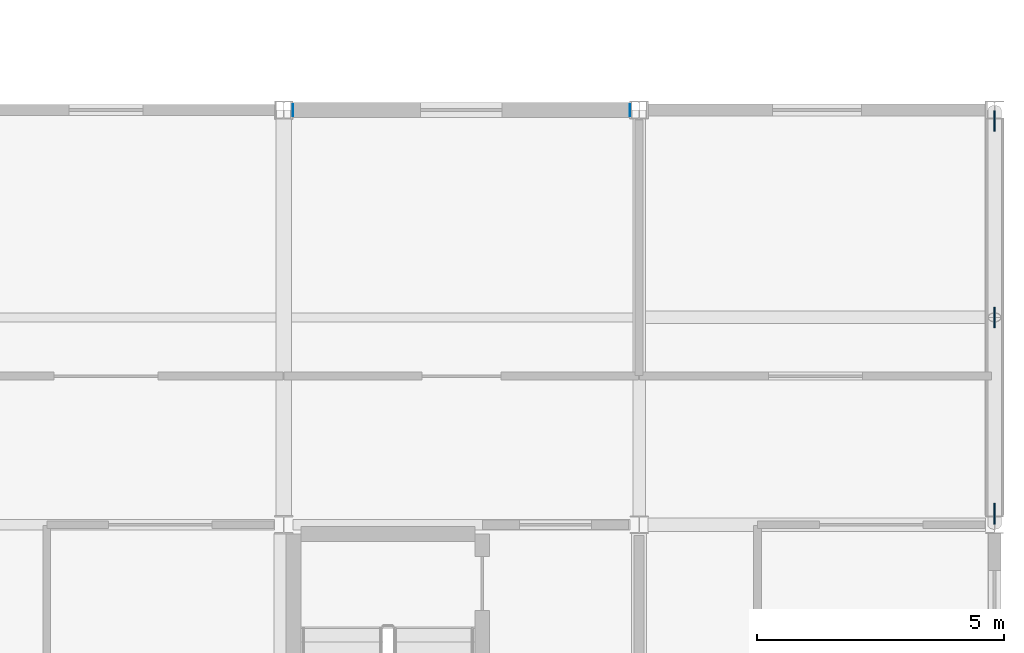
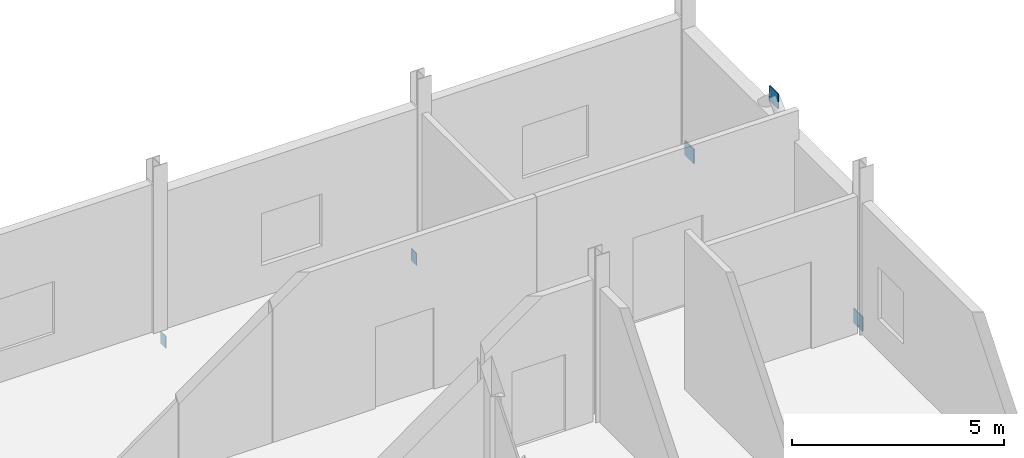
# One storey, part 29 of 45: 5 plates.
"""IFC4 building model written with IfcOpenShell, lengths in metres."""

from ifc_helpers import new_model, si_unit, direction, frame, origin, origin_2d, place, context, subcontext, project, spatial, rectangle, extrude, material, layer, layer_set, type_object, element, save


model = new_model("IFC4")

# Units and contexts
model_context = context("Model", 3, precision=1e-05, world=origin(), true_north=direction((0.0, 1.0)))
body_context = subcontext(model_context, "Body", "Model", "MODEL_VIEW")
ifc_project = project(units=[si_unit("LENGTHUNIT", "METRE"), si_unit("AREAUNIT", "SQUARE_METRE"), si_unit("VOLUMEUNIT", "CUBIC_METRE"), si_unit("PLANEANGLEUNIT", "RADIAN"), si_unit("MASSUNIT", "GRAM", prefix="KILO")], contexts=[model_context])

# Site, building, storey
site_placement = place(None, origin())
site = spatial("IfcSite", under=ifc_project, at=site_placement, CompositionType="ELEMENT")
building_placement = place(site_placement, origin())
building = spatial("IfcBuilding", under=site, at=building_placement, Name="Calvrana Isthmian Art Gallery", CompositionType="ELEMENT")
storey_placement = place(building_placement, frame((0.0, 0.0, 19.800048828125)))
storey = spatial("IfcBuildingStorey", under=building, at=storey_placement, Name="L04", CompositionType="ELEMENT", Elevation=19.800048828125)

# Plates
ifc_material = material(Name="Steel ASTM A572 Gr 50", Category="steel")
ifc_layer_1 = layer(ifc_material, 0.01611328125, Name="Steel ASTM A572 Gr 50")
ifc_layer_set_1 = layer_set([ifc_layer_1], Name="Steel ASTM A572 Gr 50")
plate_type_1 = type_object("IfcPlateType", Name="PL-CAP-16", PredefinedType="SHEET", material=ifc_layer_set_1)
for number, where, z_axis, x_axis, name in (
    (1, (127.386474609375, 46.800048828125, -0.58984375), (0.0, 0.0, 1.0), (1.0, 0.0, 0.0), "Hollow section end cap plate 493"),
    (2, (134.214599609375, 46.800048828125, -0.58984375), (0.0, 0.0, 1.0), (1.0, 0.0, 0.0), "Hollow section end cap plate 494"),
):
    element("IfcPlate", number, at=place(storey_placement, frame(where, z_axis=z_axis, x_axis=x_axis)), inside=storey, type_object=plate_type_1, Name=name, PredefinedType="SHEET", context=body_context, shape_type="SweptSolid", body=[
        extrude(rectangle(XDim=0.01611328125, YDim=0.2431640625, at=origin_2d()), origin(), (0.0, 0.0, 1.0), 0.3447265625),
    ])
ifc_layer_2 = layer(ifc_material, 0.031982421875, Name="Steel ASTM A572 Gr 50")
ifc_layer_set_2 = layer_set([ifc_layer_2], Name="Steel ASTM A572 Gr 50")
plate_type_2 = type_object("IfcPlateType", Name="PL-GUSSET-32", PredefinedType="USERDEFINED", material=ifc_layer_set_2)
for number, where, z_axis, x_axis, name in (
    (3, (141.60009765625, 38.6201171875, -0.06005859375), (0.0, 0.0, 1.0), (1.0, 0.0, 0.0), "Chevron brace gusset plate L04-11L"),
    (4, (141.60009765625, 42.60009765625, 3.93701171875), (0.0, 0.0, 1.0), (1.0, 0.0, 0.0), "Chevron brace gusset plate L04-11M"),
    (5, (141.60009765625, 46.580078125, -0.06005859375), (0.0, 0.0, 1.0), (1.0, 0.0, 0.0), "Chevron brace gusset plate L04-11R"),
):
    element("IfcPlate", number, at=place(storey_placement, frame(where, z_axis=z_axis, x_axis=x_axis)), inside=storey, type_object=plate_type_2, Name=name, ObjectType="GUSSET PLATE", PredefinedType="USERDEFINED", context=body_context, shape_type="SweptSolid", body=[
        extrude(rectangle(XDim=0.031982421875, YDim=0.419921875, at=origin_2d()), origin(), (0.0, 0.0, 1.0), 0.419921875),
    ])

save(model, "model.ifc")
